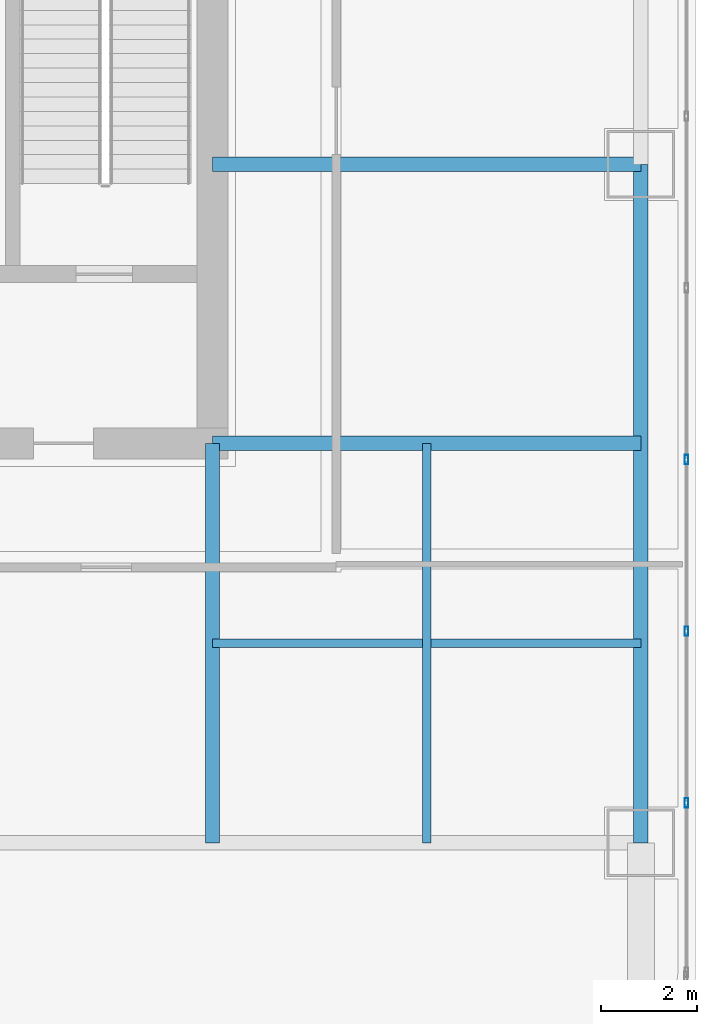
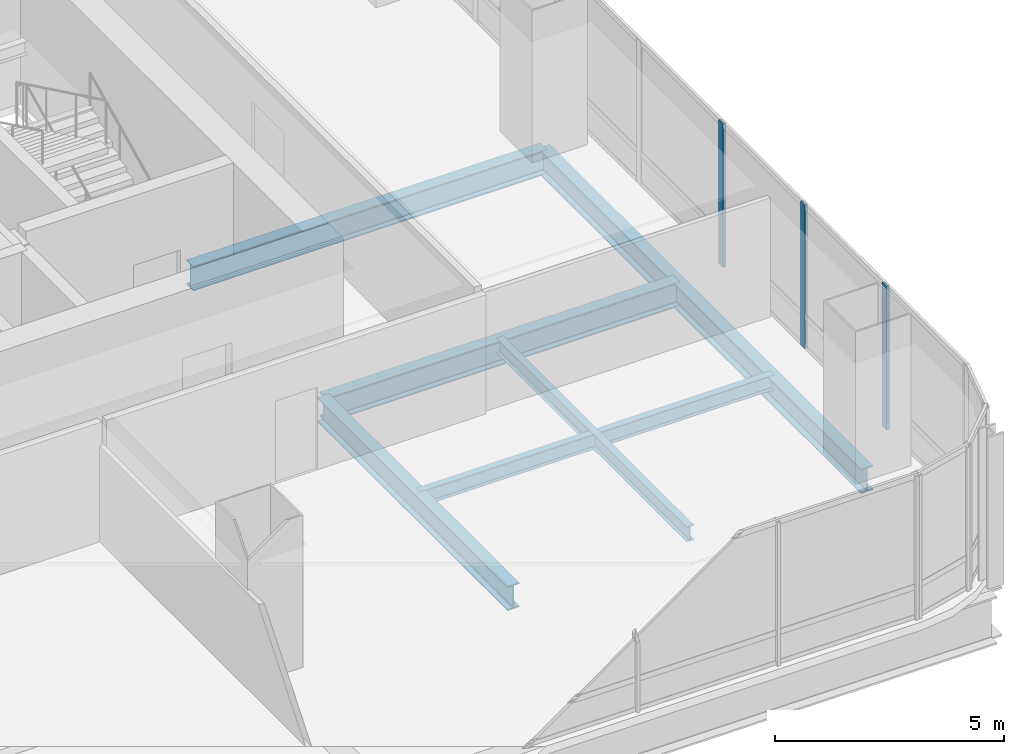
# One storey, part 14 of 36: 6 beams, 3 members, 1 element without a shape of its own.
"""IFC4 building model written with IfcOpenShell, lengths in metres."""

import ifcopenshell
import ifcopenshell.guid

model = None  # the IFC model being written
_history = None  # IfcOwnerHistory: only IFC2X3 demands one
_inside = {}  # id of a spatial element -> (the spatial element, [elements in it])
_under = {}  # id of a project, library or spatial element -> (it, [spatial elements below it])
_declared = {}  # id of a project -> (the project, [libraries it declares])
_typed = {}  # id of a type object -> (the type object, [elements of that type])
_made_of = {}  # id of a material, layer set ... -> (it, [elements and type objects made of it])


def new_model(schema):
    """Start an empty IFC model of exactly this schema.

    Asked for "IFC4X3", IfcOpenShell would pick the latest addendum, in which some entities
    have other attributes; the version numbers below select the first issue.
    IFC2X3 requires an IfcOwnerHistory on every rooted entity: one is made here for all.
    """
    global model, _history
    if schema == "IFC4X3":
        model = ifcopenshell.file(schema_version=(4, 3, 0, 0))
    else:
        model = ifcopenshell.file(schema=schema)
    _inside.clear()
    _under.clear()
    _declared.clear()
    _typed.clear()
    _made_of.clear()
    _history = None
    if model.schema == "IFC2X3":
        org = make("IfcOrganization", Name="unknown")
        user = make(
            "IfcPersonAndOrganization",
            ThePerson=make("IfcPerson", FamilyName="unknown"),
            TheOrganization=org,
        )
        app = make(
            "IfcApplication",
            ApplicationDeveloper=org,
            Version="unknown",
            ApplicationFullName="unknown",
            ApplicationIdentifier="unknown",
        )
        _history = make(
            "IfcOwnerHistory",
            OwningUser=user,
            OwningApplication=app,
            ChangeAction="ADDED",
            CreationDate=0,
        )
    return model


def make(cls, **values):
    """One entity of the class cls with the attributes given. An attribute that is None is left unset."""
    return model.create_entity(
        cls, **{name: value for name, value in values.items() if value is not None}
    )


def rooted(cls, **values):
    """An entity with a GlobalId (a new one), such as an element, a storey or a relation."""
    return make(cls, GlobalId=ifcopenshell.guid.new(), OwnerHistory=_history, **values)


def si_unit(unit_type, name, prefix=None):
    """IfcSIUnit, for example si_unit("LENGTHUNIT", "METRE", prefix="MILLI")."""
    return make("IfcSIUnit", UnitType=unit_type, Prefix=prefix, Name=name)


def assignment(units):
    """IfcUnitAssignment: the units of a project."""
    return None if units is None else make("IfcUnitAssignment", Units=units)


def point(xyz):
    """IfcCartesianPoint."""
    return None if xyz is None else make("IfcCartesianPoint", Coordinates=xyz)


def direction(xyz):
    """IfcDirection."""
    return None if xyz is None else make("IfcDirection", DirectionRatios=xyz)


def frame(location, z_axis=None, x_axis=None):
    """IfcAxis2Placement3D, a coordinate frame: its origin and axes. An axis left out is left unset."""
    return make(
        "IfcAxis2Placement3D",
        Location=point(location),
        Axis=direction(z_axis),
        RefDirection=direction(x_axis),
    )


def frame_2d(location, x_axis=None):
    """IfcAxis2Placement2D, a coordinate frame in the plane: its origin and x axis."""
    return make(
        "IfcAxis2Placement2D", Location=point(location), RefDirection=direction(x_axis)
    )


def origin():
    """The frame at (0, 0, 0) with its axes left unset."""
    return frame((0.0, 0.0, 0.0))


def origin_2d():
    """The frame at (0, 0) in the plane with its x axis left unset."""
    return frame_2d((0.0, 0.0))


def place(relative_to, where):
    """IfcLocalPlacement: puts the frame where relative to a parent placement (None: the world)."""
    return make(
        "IfcLocalPlacement", PlacementRelTo=relative_to, RelativePlacement=where
    )


def context(
    kind, dimensions, precision=None, world=None, true_north=None, identifier=None
):
    """IfcGeometricRepresentationContext, for example the 3D "Model" context."""
    return make(
        "IfcGeometricRepresentationContext",
        ContextIdentifier=identifier,
        ContextType=kind,
        CoordinateSpaceDimension=dimensions,
        Precision=precision,
        WorldCoordinateSystem=world,
        TrueNorth=true_north,
    )


def subcontext(parent, identifier, kind, view, scale=None):
    """IfcGeometricRepresentationSubContext, for example "Body" below "Model"."""
    return make(
        "IfcGeometricRepresentationSubContext",
        ContextIdentifier=identifier,
        ContextType=kind,
        ParentContext=parent,
        TargetScale=scale,
        TargetView=view,
    )


def project(units=None, contexts=None):
    """IfcProject with its units and contexts."""
    return rooted(
        "IfcProject",
        Name="project",
        RepresentationContexts=contexts,
        UnitsInContext=assignment(units),
    )


def spatial(cls, under=None, at=None, **own):
    """A site, building, storey or space (cls), placed at a placement, below another one or the project."""
    s = rooted(cls, ObjectPlacement=at, **own)
    if under is not None:
        _under.setdefault(under.id(), (under, []))[1].append(s)
    return s


def profile(cls, at=None, kind="AREA", **sizes):
    """A parametric profile (cls). Its sizes go by their IFC names, for example OverallWidth=200.0."""
    return make(cls, ProfileType=kind, Position=at, **sizes)


def hollow_rectangle(**sizes):
    """IfcRectangleHollowProfileDef."""
    return profile("IfcRectangleHollowProfileDef", **sizes)


def i_section(**sizes):
    """IfcIShapeProfileDef."""
    return profile("IfcIShapeProfileDef", **sizes)


def extrude(swept, where, along, depth):
    """IfcExtrudedAreaSolid: the profile swept, set in the frame where, extruded along a direction by depth."""
    return make(
        "IfcExtrudedAreaSolid",
        SweptArea=swept,
        Position=where,
        ExtrudedDirection=direction(along),
        Depth=depth,
    )


def shape(context_of_items, identifier, shape_type, items):
    """IfcShapeRepresentation: the items that make up one representation, for example the "Body"."""
    return make(
        "IfcShapeRepresentation",
        ContextOfItems=context_of_items,
        RepresentationIdentifier=identifier,
        RepresentationType=shape_type,
        Items=items,
    )


def material(Name=None, Category=None):
    """IfcMaterial."""
    return make("IfcMaterial", Name=Name, Category=Category)


def material_profile(
    of_material, cross_section, Name=None, Category=None, Priority=None
):
    """IfcMaterialProfile: a cross section and its material."""
    return make(
        "IfcMaterialProfile",
        Name=Name,
        Material=of_material,
        Profile=cross_section,
        Priority=Priority,
        Category=Category,
    )


def profile_set(profiles, Name=None, composite=None):
    """IfcMaterialProfileSet."""
    return make(
        "IfcMaterialProfileSet",
        Name=Name,
        MaterialProfiles=profiles,
        CompositeProfile=composite,
    )


def made_of(thing, what):
    """Note that an element or type object is made of a material, layer set ...; save() writes the relation."""
    if what is not None:
        _made_of.setdefault(what.id(), (what, []))[1].append(thing)
    return thing


def type_object(cls, material=None, **own):
    """A type object (cls), such as IfcWallType, which elements share."""
    return made_of(rooted(cls, **own), material)


def element(
    cls,
    number,
    at=None,
    inside=None,
    cuts=None,
    type_object=None,
    material=None,
    context=None,
    identifier="Body",
    shape_type=None,
    held_by="IfcProductDefinitionShape",
    body=None,
    shapes=None,
    **own,
):
    """One element of the class cls, such as IfcWall. Its Tag is "e" and its number.

    at: its placement. inside: the storey or other place that contains it. cuts: it is an
    opening in that element (IfcRelVoidsElement). A single representation is given by context,
    identifier, shape_type and body (its items); several are given by shapes. held_by: the class
    of the entity that holds the representations. save() writes the other relations.
    """
    e = rooted(cls, Tag="e%d" % number, ObjectPlacement=at, **own)
    if body is not None:
        shapes = [shape(context, identifier, shape_type, body)]
    if shapes is not None:
        e.Representation = make(held_by, Representations=shapes)
    if inside is not None:
        _inside.setdefault(inside.id(), (inside, []))[1].append(e)
    if cuts is not None:
        rooted(
            "IfcRelVoidsElement", RelatingBuildingElement=cuts, RelatedOpeningElement=e
        )
    if type_object is not None:
        _typed.setdefault(type_object.id(), (type_object, []))[1].append(e)
    return made_of(e, material)


def aggregate(whole, parts):
    """IfcRelAggregates: a whole, such as a stair, and the parts it consists of."""
    return rooted("IfcRelAggregates", RelatingObject=whole, RelatedObjects=parts)


def save(model, path):
    """Write the relations noted so far, then the file.

    IfcRelAggregates (storeys below a building ...), IfcRelContainedInSpatialStructure (elements
    in a storey), IfcRelDefinesByType, IfcRelAssociatesMaterial and IfcRelDeclares: one each for
    every whole, place, type object, material and project.
    """
    for whole, parts in _under.values():
        aggregate(whole, parts)
    for where, things in _inside.values():
        rooted(
            "IfcRelContainedInSpatialStructure",
            RelatedElements=things,
            RelatingStructure=where,
        )
    for kind, things in _typed.values():
        rooted("IfcRelDefinesByType", RelatedObjects=things, RelatingType=kind)
    for what, things in _made_of.values():
        rooted("IfcRelAssociatesMaterial", RelatedObjects=things, RelatingMaterial=what)
    for by, libraries in _declared.values():
        rooted("IfcRelDeclares", RelatingContext=by, RelatedDefinitions=libraries)
    model.write(path)


model = new_model("IFC4")

# Units and contexts
model_context = context("Model", 3, precision=1e-05, world=origin(), true_north=direction((0.0, 1.0)))
body_context = subcontext(model_context, "Body", "Model", "MODEL_VIEW")
ifc_project = project(units=[si_unit("LENGTHUNIT", "METRE"), si_unit("AREAUNIT", "SQUARE_METRE"), si_unit("VOLUMEUNIT", "CUBIC_METRE"), si_unit("PLANEANGLEUNIT", "RADIAN"), si_unit("MASSUNIT", "GRAM", prefix="KILO")], contexts=[model_context])

# Site, building, storey
site_placement = place(None, origin())
site = spatial("IfcSite", under=ifc_project, at=site_placement, CompositionType="ELEMENT")
building_placement = place(site_placement, origin())
building = spatial("IfcBuilding", under=site, at=building_placement, Name="Punatoya Terracotta Tower", CompositionType="ELEMENT")
storey_placement = place(building_placement, frame((0.0, 0.0, 176.25)))
storey = spatial("IfcBuildingStorey", under=building, at=storey_placement, Name="L41", CompositionType="ELEMENT", Elevation=176.25)

# Beams
ifc_material_1 = material(Name="Steel S355", Category="steel")
ifc_material_profile_1 = material_profile(ifc_material_1, i_section(OverallWidth=0.300048828125, OverallDepth=0.64990234375, WebThickness=0.01611328125, FlangeThickness=0.031005859375, FilletRadius=0.01806640625, at=origin_2d()))
ifc_profile_set_1 = profile_set([ifc_material_profile_1], Name="Steel S355")
beam_type_1 = type_object("IfcBeamType", Name="BM-PRI-650", PredefinedType="BEAM", material=ifc_profile_set_1)
beam_1_placement = place(storey_placement, frame((19.10009765625, -17.5, -0.544921875), z_axis=(0.0, 1.0, 0.0), x_axis=(-1.0, 0.0, 0.0)))
element("IfcBeam", 1, at=beam_1_placement, inside=storey, type_object=beam_type_1, Name="BM-L41-RG-E1", PredefinedType="BEAM", context=body_context, shape_type="SweptSolid", body=[
    extrude(i_section(OverallWidth=0.300048828125, OverallDepth=0.64990234375, WebThickness=0.01611328125, FlangeThickness=0.031005859375, FilletRadius=0.01806640625, at=origin_2d()), origin(), (0.0, 0.0, 1.0), 14.10009765625),
])
for number, where, z_axis, x_axis, name in (
    (2, (10.199951171875, -9.199951171875, -0.544921875), (1.0, 0.0, 0.0), (0.0, 1.0, 0.0), "BM-L41-PR-ES"),
    (3, (10.199951171875, -3.39990234375, -0.544921875), (1.0, 0.0, 0.0), (0.0, 1.0, 0.0), "BM-L41-PR-ED"),
):
    element("IfcBeam", number, at=place(storey_placement, frame(where, z_axis=z_axis, x_axis=x_axis)), inside=storey, type_object=beam_type_1, Name=name, PredefinedType="BEAM", context=body_context, shape_type="SweptSolid", body=[
        extrude(i_section(OverallWidth=0.300048828125, OverallDepth=0.64990234375, WebThickness=0.01611328125, FlangeThickness=0.031005859375, FilletRadius=0.01806640625, at=origin_2d()), origin(), (0.0, 0.0, 1.0), 8.900146484375),
    ])
beam_2_placement = place(storey_placement, frame((10.199951171875, -17.5, -0.544921875), z_axis=(0.0, 1.0, 0.0), x_axis=(-1.0, 0.0, 0.0)))
element("IfcBeam", 4, at=beam_2_placement, inside=storey, type_object=beam_type_1, Name="BM-L41-PR-S4", PredefinedType="BEAM", context=body_context, shape_type="SweptSolid", body=[
    extrude(i_section(OverallWidth=0.300048828125, OverallDepth=0.64990234375, WebThickness=0.01611328125, FlangeThickness=0.031005859375, FilletRadius=0.01806640625, at=origin_2d()), origin(), (0.0, 0.0, 1.0), 8.300048828125),
])
ifc_material_profile_2 = material_profile(ifc_material_1, i_section(OverallWidth=0.179931640625, OverallDepth=0.39990234375, WebThickness=0.008544921875, FlangeThickness=0.013427734375, FilletRadius=0.01806640625, at=origin_2d()))
ifc_profile_set_2 = profile_set([ifc_material_profile_2], Name="Steel S355")
beam_type_2 = type_object("IfcBeamType", Name="BM-SEC-400", PredefinedType="JOIST", material=ifc_profile_set_2)
beam_3_placement = place(storey_placement, frame((10.199951171875, -13.35009765625, -0.419921875), z_axis=(1.0, 0.0, 0.0), x_axis=(0.0, 1.0, 0.0)))
element("IfcBeam", 5, at=beam_3_placement, inside=storey, type_object=beam_type_2, Name="BM-L41-SJS-2", PredefinedType="JOIST", context=body_context, shape_type="SweptSolid", body=[
    extrude(i_section(OverallWidth=0.179931640625, OverallDepth=0.39990234375, WebThickness=0.008544921875, FlangeThickness=0.013427734375, FilletRadius=0.01806640625, at=origin_2d()), origin(), (0.0, 0.0, 1.0), 8.900146484375),
])
beam_4_placement = place(storey_placement, frame((14.64990234375, -17.5, -0.419921875), z_axis=(0.0, 1.0, 0.0), x_axis=(-1.0, 0.0, 0.0)))
element("IfcBeam", 6, at=beam_4_placement, inside=storey, type_object=beam_type_2, Name="BM-L41-SJE-1", PredefinedType="JOIST", context=body_context, shape_type="SweptSolid", body=[
    extrude(i_section(OverallWidth=0.179931640625, OverallDepth=0.39990234375, WebThickness=0.008544921875, FlangeThickness=0.013427734375, FilletRadius=0.01806640625, at=origin_2d()), origin(), (0.0, 0.0, 1.0), 8.300048828125),
])

# Curtain wall, members
ifc_material_2 = material(Name="Aluminium 6063-T6 + Double Low-E Glass", Category="aluminium")
curtain_wall_type = type_object("IfcCurtainWallType", Name="CW-M2", PredefinedType="NOTDEFINED", material=ifc_material_2)
curtain_wall_placement = place(storey_placement, origin())
curtain_wall = element("IfcCurtainWall", 7, at=curtain_wall_placement, inside=storey, type_object=curtain_wall_type, Name="L41 Curtain Wall CW-L41-E05-1", PredefinedType="NOTDEFINED")
ifc_material_3 = material(Name="Aluminium 6063-T6", Category="aluminium")
ifc_material_profile_3 = material_profile(ifc_material_3, hollow_rectangle(XDim=0.072021484375, YDim=0.195068359375, WallThickness=0.00439453125, at=origin_2d()))
ifc_profile_set_3 = profile_set([ifc_material_profile_3], Name="Aluminium 6063-T6")
member_type = type_object("IfcMemberType", Name="CW-MUL-M2", PredefinedType="MULLION", material=ifc_profile_set_3)
member_1_placement = place(storey_placement, frame((20.050048828125, -16.66943359375, 0.0), z_axis=(0.0, 0.0, 1.0), x_axis=(1.0, 0.0, 0.0)))
member_1 = element("IfcMember", 8, at=member_1_placement, type_object=member_type, Name="CW-L41-E05-1 Mullion 01", PredefinedType="MULLION", context=body_context, shape_type="SweptSolid", body=[
    extrude(hollow_rectangle(XDim=0.072021484375, YDim=0.195068359375, WallThickness=0.00439453125, at=origin_2d()), origin(), (0.0, 0.0, 1.0), 3.830078125),
])
member_2_placement = place(storey_placement, frame((20.050048828125, -13.10205078125, 0.0), z_axis=(0.0, 0.0, 1.0), x_axis=(1.0, 0.0, 0.0)))
member_2 = element("IfcMember", 9, at=member_2_placement, type_object=member_type, Name="CW-L41-E05-1 Mullion 02", PredefinedType="MULLION", context=body_context, shape_type="SweptSolid", body=[
    extrude(hollow_rectangle(XDim=0.072021484375, YDim=0.195068359375, WallThickness=0.00439453125, at=origin_2d()), origin(), (0.0, 0.0, 1.0), 3.830078125),
])
member_3_placement = place(storey_placement, frame((20.050048828125, -9.534912109375, 0.0), z_axis=(0.0, 0.0, 1.0), x_axis=(1.0, 0.0, 0.0)))
member_3 = element("IfcMember", 10, at=member_3_placement, type_object=member_type, Name="CW-L41-E05-1 Mullion 03", PredefinedType="MULLION", context=body_context, shape_type="SweptSolid", body=[
    extrude(hollow_rectangle(XDim=0.072021484375, YDim=0.195068359375, WallThickness=0.00439453125, at=origin_2d()), origin(), (0.0, 0.0, 1.0), 3.830078125),
])
aggregate(curtain_wall, [member_1, member_2, member_3])

save(model, "model.ifc")
